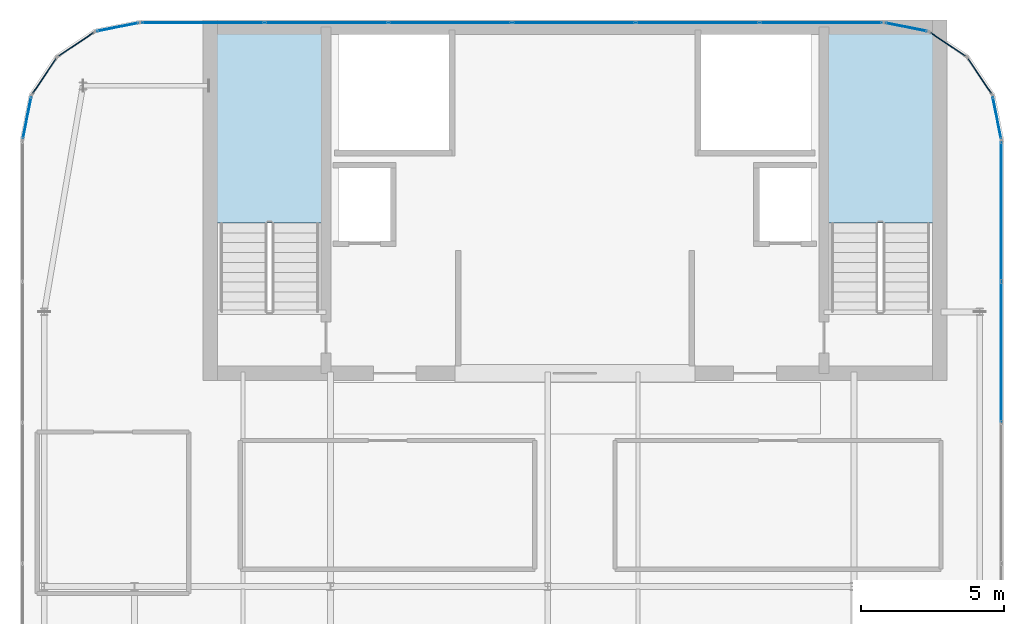
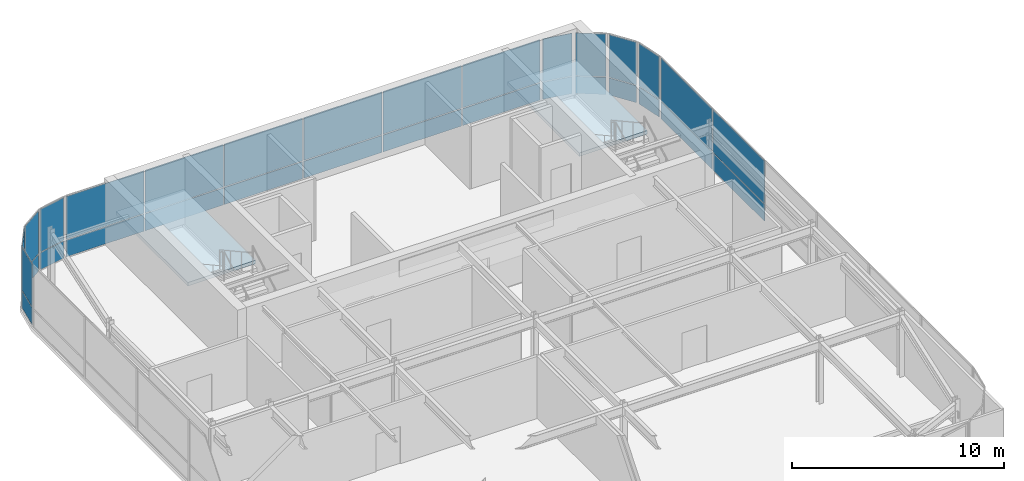
# One storey, part 30 of 36: 32 plates, 2 slabs, 12 elements without a shape of their own.
"""IFC4 building model written with IfcOpenShell, lengths in metres."""

from ifc_helpers import new_model, si_unit, direction, frame, origin, origin_2d, place, context, subcontext, project, spatial, polyline, rectangle, outline, extrude, source, transform, mapped, material, layer, layer_set, type_object, type_shapes, element, aggregate, save


model = new_model("IFC4")

# Units and contexts
model_context = context("Model", 3, precision=1e-05, world=origin(), true_north=direction((0.0, 1.0)))
body_context = subcontext(model_context, "Body", "Model", "MODEL_VIEW")
ifc_project = project(units=[si_unit("LENGTHUNIT", "METRE"), si_unit("AREAUNIT", "SQUARE_METRE"), si_unit("VOLUMEUNIT", "CUBIC_METRE"), si_unit("PLANEANGLEUNIT", "RADIAN"), si_unit("MASSUNIT", "GRAM", prefix="KILO")], contexts=[model_context])

# Site, building, storey
site_placement = place(None, origin())
site = spatial("IfcSite", under=ifc_project, at=site_placement, CompositionType="ELEMENT")
building_placement = place(site_placement, origin())
building = spatial("IfcBuilding", under=site, at=building_placement, Name="Tolvann Quenvar Hotel", CompositionType="ELEMENT")
storey_placement = place(building_placement, frame((0.0, 0.0, 298.550048828125)))
storey = spatial("IfcBuildingStorey", under=building, at=storey_placement, Name="L79", CompositionType="ELEMENT", Elevation=298.550048828125)

# Stair, slab
ifc_material_1 = material(Name="Concrete N40 (40 MPa)", Category="concrete")
stair_type = type_object("IfcStairType", Name="STAIR", PredefinedType="HALF_TURN_STAIR", material=ifc_material_1)
stair_1_placement = place(storey_placement, origin())
stair_1 = element("IfcStair", 1, at=stair_1_placement, inside=storey, type_object=stair_type, Name="L79 ST-C1", PredefinedType="HALF_TURN_STAIR")
ifc_layer_1 = layer(ifc_material_1, 0.199951171875)
ifc_layer_set_1 = layer_set([ifc_layer_1], Name="Concrete N40 (40 MPa)")
slab_type = type_object("IfcSlabType", Name="SLAB_LANDING", PredefinedType="LANDING", material=ifc_layer_set_1)
slab_1_placement = place(storey_placement, frame((0.0, 0.0, 1.699951171875)))
slab_1 = element("IfcSlab", 2, at=slab_1_placement, type_object=slab_type, Name="ST-C1 landing 1", PredefinedType="LANDING", context=body_context, shape_type="SweptSolid", body=[
    extrude(outline(polyline([(14.179931640625, 37.10498046875), (14.179931640625, 43.8798828125), (10.469970703125, 43.8798828125), (10.469970703125, 37.10498046875), (14.179931640625, 37.10498046875)])), origin(), (0.0, 0.0, 1.0), 0.199951171875),
])
aggregate(stair_1, [slab_1])

stair_2_placement = place(storey_placement, origin())
stair_2 = element("IfcStair", 3, at=stair_2_placement, inside=storey, type_object=stair_type, Name="L79 ST-C2", PredefinedType="HALF_TURN_STAIR")
slab_2_placement = place(storey_placement, frame((0.0, 0.0, 1.699951171875)))
slab_2 = element("IfcSlab", 4, at=slab_2_placement, type_object=slab_type, Name="ST-C2 landing 1", PredefinedType="LANDING", context=body_context, shape_type="SweptSolid", body=[
    extrude(outline(polyline([(35.530029296875, 37.10498046875), (35.530029296875, 43.8798828125), (31.820068359375, 43.8798828125), (31.820068359375, 37.10498046875), (35.530029296875, 37.10498046875)])), origin(), (0.0, 0.0, 1.0), 0.199951171875),
])
aggregate(stair_2, [slab_2])

# Curtain wall, plate
ifc_material_2 = material(Name="Thermally broken anodised architectural aluminium 6063-T6 and laminated low-E glass", Category="aluminium")
ifc_layer_2 = layer(ifc_material_2, 0.179931640625)
ifc_layer_set_2 = layer_set([ifc_layer_2], Name="Thermally broken anodised architectural aluminium 6063-T6 and laminated low-E glass")
curtain_wall_type = type_object("IfcCurtainWallType", Name="CW_SYS_LANT_06", PredefinedType="USERDEFINED", material=ifc_layer_set_2)
curtain_wall_1_placement = place(storey_placement, origin())
curtain_wall_1 = element("IfcCurtainWall", 5, at=curtain_wall_1_placement, inside=storey, type_object=curtain_wall_type, Name="Curtain Wall CW-LANT-06 (CWR-L79-E11)", ObjectType="UNITISED CURTAIN WALL", PredefinedType="USERDEFINED")
ifc_material_3 = material(Name="Diffused translucent ceramic-frit laminated lantern glass", Category="glass")
ifc_layer_3 = layer(ifc_material_3, 0.031982421875)
ifc_layer_set_3 = layer_set([ifc_layer_3], Name="Diffused translucent ceramic-frit laminated lantern glass")
plate_type = type_object("IfcPlateType", Name="CW_PAN_LANT_32", PredefinedType="CURTAIN_PANEL", material=ifc_layer_set_3)
shared_shape_1 = source(origin(), body_context, "Body", "SweptSolid", [
    extrude(rectangle(XDim=1.439208984375, YDim=0.031982421875, at=origin_2d()), origin(), (0.0, 0.0, 1.0), 0.97509765625),
])
plate_1_placement = place(storey_placement, frame((37.150146484375, 42.238525390625, 0.0498046875), z_axis=(0.0, 0.0, 1.0), x_axis=(-0.555655769644, 0.831412452193, 0.0)))
plate_1 = element("IfcPlate", 6, at=plate_1_placement, type_object=plate_type, Name="CW-LANT-06 panel 1.1", PredefinedType="CURTAIN_PANEL", context=body_context, shape_type="MappedRepresentation", body=[
    mapped(shared_shape_1, transform((0.0, 0.0, 0.0), x_axis=(1.0, 0.0, 0.0), y_axis=(0.0, 1.0, 0.0), z_axis=(0.0, 0.0, 1.0), scale=1.0)),
])

curtain_wall_2_placement = place(storey_placement, origin())
curtain_wall_2 = element("IfcCurtainWall", 7, at=curtain_wall_2_placement, inside=storey, type_object=curtain_wall_type, Name="Curtain Wall CW-LANT-06 (CWR-L79-E12)", ObjectType="UNITISED CURTAIN WALL", PredefinedType="USERDEFINED")
plate_2_placement = place(storey_placement, frame((36.03857421875, 43.350341796875, 0.0498046875), z_axis=(0.0, 0.0, 1.0), x_axis=(-0.831412452193, 0.555655769644, 0.0)))
plate_2 = element("IfcPlate", 8, at=plate_2_placement, type_object=plate_type, Name="CW-LANT-06 panel 1.1", PredefinedType="CURTAIN_PANEL", context=body_context, shape_type="MappedRepresentation", body=[
    mapped(shared_shape_1, transform((0.0, 0.0, 0.0), x_axis=(1.0, 0.0, 0.0), y_axis=(0.0, 1.0, 0.0), z_axis=(0.0, 0.0, 1.0), scale=1.0)),
])

curtain_wall_3_placement = place(storey_placement, origin())
curtain_wall_3 = element("IfcCurtainWall", 9, at=curtain_wall_3_placement, inside=storey, type_object=curtain_wall_type, Name="Curtain Wall CW-LANT-06 (CWR-L79-E16)", ObjectType="UNITISED CURTAIN WALL", PredefinedType="USERDEFINED")
plate_3_placement = place(storey_placement, frame((5.5615234375, 43.350341796875, 0.0498046875), z_axis=(0.0, 0.0, 1.0), x_axis=(-0.831412452193, -0.555655769644, 0.0)))
plate_3 = element("IfcPlate", 10, at=plate_3_placement, type_object=plate_type, Name="CW-LANT-06 panel 1.1", PredefinedType="CURTAIN_PANEL", context=body_context, shape_type="MappedRepresentation", body=[
    mapped(shared_shape_1, transform((0.0, 0.0, 0.0), x_axis=(1.0, 0.0, 0.0), y_axis=(0.0, 1.0, 0.0), z_axis=(0.0, 0.0, 1.0), scale=1.0)),
])

curtain_wall_4_placement = place(storey_placement, origin())
curtain_wall_4 = element("IfcCurtainWall", 11, at=curtain_wall_4_placement, inside=storey, type_object=curtain_wall_type, Name="Curtain Wall CW-LANT-06 (CWR-L79-E17)", ObjectType="UNITISED CURTAIN WALL", PredefinedType="USERDEFINED")
plate_4_placement = place(storey_placement, frame((4.44970703125, 42.238525390625, 0.0498046875), z_axis=(0.0, 0.0, 1.0), x_axis=(-0.555655769644, -0.831412452193, 0.0)))
plate_4 = element("IfcPlate", 12, at=plate_4_placement, type_object=plate_type, Name="CW-LANT-06 panel 1.1", PredefinedType="CURTAIN_PANEL", context=body_context, shape_type="MappedRepresentation", body=[
    mapped(shared_shape_1, transform((0.0, 0.0, 0.0), x_axis=(1.0, 0.0, 0.0), y_axis=(0.0, 1.0, 0.0), z_axis=(0.0, 0.0, 1.0), scale=1.0)),
])

# Plate
shared_shape_2 = source(origin(), body_context, "Body", "SweptSolid", [
    extrude(rectangle(XDim=1.439208984375, YDim=0.031982421875, at=origin_2d()), origin(), (0.0, 0.0, 1.0), 2.455078125),
])
plate_5_placement = place(storey_placement, frame((37.150146484375, 42.238525390625, 1.074951171875), z_axis=(0.0, 0.0, 1.0), x_axis=(-0.555655769644, 0.831412452193, 0.0)))
plate_5 = element("IfcPlate", 13, at=plate_5_placement, type_object=plate_type, Name="CW-LANT-06 panel 1.2", PredefinedType="CURTAIN_PANEL", context=body_context, shape_type="MappedRepresentation", body=[
    mapped(shared_shape_2, transform((0.0, 0.0, 0.0), x_axis=(1.0, 0.0, 0.0), y_axis=(0.0, 1.0, 0.0), z_axis=(0.0, 0.0, 1.0), scale=1.0)),
])

aggregate(curtain_wall_1, [plate_1, plate_5])

plate_6_placement = place(storey_placement, frame((36.03857421875, 43.350341796875, 1.074951171875), z_axis=(0.0, 0.0, 1.0), x_axis=(-0.831412452193, 0.555655769644, 0.0)))
plate_6 = element("IfcPlate", 14, at=plate_6_placement, type_object=plate_type, Name="CW-LANT-06 panel 1.2", PredefinedType="CURTAIN_PANEL", context=body_context, shape_type="MappedRepresentation", body=[
    mapped(shared_shape_2, transform((0.0, 0.0, 0.0), x_axis=(1.0, 0.0, 0.0), y_axis=(0.0, 1.0, 0.0), z_axis=(0.0, 0.0, 1.0), scale=1.0)),
])

aggregate(curtain_wall_2, [plate_2, plate_6])

plate_7_placement = place(storey_placement, frame((5.5615234375, 43.350341796875, 1.074951171875), z_axis=(0.0, 0.0, 1.0), x_axis=(-0.831412452193, -0.555655769644, 0.0)))
plate_7 = element("IfcPlate", 15, at=plate_7_placement, type_object=plate_type, Name="CW-LANT-06 panel 1.2", PredefinedType="CURTAIN_PANEL", context=body_context, shape_type="MappedRepresentation", body=[
    mapped(shared_shape_2, transform((0.0, 0.0, 0.0), x_axis=(1.0, 0.0, 0.0), y_axis=(0.0, 1.0, 0.0), z_axis=(0.0, 0.0, 1.0), scale=1.0)),
])

aggregate(curtain_wall_3, [plate_3, plate_7])

plate_8_placement = place(storey_placement, frame((4.44970703125, 42.238525390625, 1.074951171875), z_axis=(0.0, 0.0, 1.0), x_axis=(-0.555655769644, -0.831412452193, 0.0)))
plate_8 = element("IfcPlate", 16, at=plate_8_placement, type_object=plate_type, Name="CW-LANT-06 panel 1.2", PredefinedType="CURTAIN_PANEL", context=body_context, shape_type="MappedRepresentation", body=[
    mapped(shared_shape_2, transform((0.0, 0.0, 0.0), x_axis=(1.0, 0.0, 0.0), y_axis=(0.0, 1.0, 0.0), z_axis=(0.0, 0.0, 1.0), scale=1.0)),
])

aggregate(curtain_wall_4, [plate_4, plate_8])

# Curtain wall, plate
curtain_wall_5_placement = place(storey_placement, origin())
curtain_wall_5 = element("IfcCurtainWall", 17, at=curtain_wall_5_placement, inside=storey, type_object=curtain_wall_type, Name="Curtain Wall CW-LANT-06 (CWR-L79-E10)", ObjectType="UNITISED CURTAIN WALL", PredefinedType="USERDEFINED")
shared_shape_3 = source(origin(), body_context, "Body", "SweptSolid", [
    extrude(rectangle(XDim=1.456787109375, YDim=0.031982421875, at=origin_2d()), origin(), (0.0, 0.0, 1.0), 0.97509765625),
])
plate_9_placement = place(storey_placement, frame((37.753662109375, 40.777587890625, 0.0498046875), z_axis=(0.0, 0.0, 1.0), x_axis=(-0.195061569369, 0.980790999222, 0.0)))
plate_9 = element("IfcPlate", 18, at=plate_9_placement, type_object=plate_type, Name="CW-LANT-06 panel 1.1", PredefinedType="CURTAIN_PANEL", context=body_context, shape_type="MappedRepresentation", body=[
    mapped(shared_shape_3, transform((0.0, 0.0, 0.0), x_axis=(1.0, 0.0, 0.0), y_axis=(0.0, 1.0, 0.0), z_axis=(0.0, 0.0, 1.0), scale=1.0)),
])

curtain_wall_6_placement = place(storey_placement, origin())
curtain_wall_6 = element("IfcCurtainWall", 19, at=curtain_wall_6_placement, inside=storey, type_object=curtain_wall_type, Name="Curtain Wall CW-LANT-06 (CWR-L79-E13)", ObjectType="UNITISED CURTAIN WALL", PredefinedType="USERDEFINED")
plate_10_placement = place(storey_placement, frame((34.577392578125, 43.95361328125, 0.0498046875), z_axis=(0.0, 0.0, 1.0), x_axis=(-0.980790999222, 0.195061569369, 0.0)))
plate_10 = element("IfcPlate", 20, at=plate_10_placement, type_object=plate_type, Name="CW-LANT-06 panel 1.1", PredefinedType="CURTAIN_PANEL", context=body_context, shape_type="MappedRepresentation", body=[
    mapped(shared_shape_3, transform((0.0, 0.0, 0.0), x_axis=(1.0, 0.0, 0.0), y_axis=(0.0, 1.0, 0.0), z_axis=(0.0, 0.0, 1.0), scale=1.0)),
])

curtain_wall_7_placement = place(storey_placement, origin())
curtain_wall_7 = element("IfcCurtainWall", 21, at=curtain_wall_7_placement, inside=storey, type_object=curtain_wall_type, Name="Curtain Wall CW-LANT-06 (CWR-L79-E15)", ObjectType="UNITISED CURTAIN WALL", PredefinedType="USERDEFINED")
plate_11_placement = place(storey_placement, frame((7.0224609375, 43.95361328125, 0.0498046875), z_axis=(0.0, 0.0, 1.0), x_axis=(-0.980790999222, -0.195061569369, 0.0)))
plate_11 = element("IfcPlate", 22, at=plate_11_placement, type_object=plate_type, Name="CW-LANT-06 panel 1.1", PredefinedType="CURTAIN_PANEL", context=body_context, shape_type="MappedRepresentation", body=[
    mapped(shared_shape_3, transform((0.0, 0.0, 0.0), x_axis=(1.0, 0.0, 0.0), y_axis=(0.0, 1.0, 0.0), z_axis=(0.0, 0.0, 1.0), scale=1.0)),
])

curtain_wall_8_placement = place(storey_placement, origin())
curtain_wall_8 = element("IfcCurtainWall", 23, at=curtain_wall_8_placement, inside=storey, type_object=curtain_wall_type, Name="Curtain Wall CW-LANT-06 (CWR-L79-E18)", ObjectType="UNITISED CURTAIN WALL", PredefinedType="USERDEFINED")
plate_12_placement = place(storey_placement, frame((3.846435546875, 40.777587890625, 0.0498046875), z_axis=(0.0, 0.0, 1.0), x_axis=(-0.195061569369, -0.980790999222, 0.0)))
plate_12 = element("IfcPlate", 24, at=plate_12_placement, type_object=plate_type, Name="CW-LANT-06 panel 1.1", PredefinedType="CURTAIN_PANEL", context=body_context, shape_type="MappedRepresentation", body=[
    mapped(shared_shape_3, transform((0.0, 0.0, 0.0), x_axis=(1.0, 0.0, 0.0), y_axis=(0.0, 1.0, 0.0), z_axis=(0.0, 0.0, 1.0), scale=1.0)),
])

# Plate
shared_shape_4 = source(origin(), body_context, "Body", "SweptSolid", [
    extrude(rectangle(XDim=1.456787109375, YDim=0.031982421875, at=origin_2d()), origin(), (0.0, 0.0, 1.0), 2.455078125),
])
plate_13_placement = place(storey_placement, frame((37.753662109375, 40.777587890625, 1.074951171875), z_axis=(0.0, 0.0, 1.0), x_axis=(-0.195061569369, 0.980790999222, 0.0)))
plate_13 = element("IfcPlate", 25, at=plate_13_placement, type_object=plate_type, Name="CW-LANT-06 panel 1.2", PredefinedType="CURTAIN_PANEL", context=body_context, shape_type="MappedRepresentation", body=[
    mapped(shared_shape_4, transform((0.0, 0.0, 0.0), x_axis=(1.0, 0.0, 0.0), y_axis=(0.0, 1.0, 0.0), z_axis=(0.0, 0.0, 1.0), scale=1.0)),
])

aggregate(curtain_wall_5, [plate_9, plate_13])

plate_14_placement = place(storey_placement, frame((34.577392578125, 43.95361328125, 1.074951171875), z_axis=(0.0, 0.0, 1.0), x_axis=(-0.980790999222, 0.195061569369, 0.0)))
plate_14 = element("IfcPlate", 26, at=plate_14_placement, type_object=plate_type, Name="CW-LANT-06 panel 1.2", PredefinedType="CURTAIN_PANEL", context=body_context, shape_type="MappedRepresentation", body=[
    mapped(shared_shape_4, transform((0.0, 0.0, 0.0), x_axis=(1.0, 0.0, 0.0), y_axis=(0.0, 1.0, 0.0), z_axis=(0.0, 0.0, 1.0), scale=1.0)),
])

aggregate(curtain_wall_6, [plate_10, plate_14])

plate_15_placement = place(storey_placement, frame((7.0224609375, 43.95361328125, 1.074951171875), z_axis=(0.0, 0.0, 1.0), x_axis=(-0.980790999222, -0.195061569369, 0.0)))
plate_15 = element("IfcPlate", 27, at=plate_15_placement, type_object=plate_type, Name="CW-LANT-06 panel 1.2", PredefinedType="CURTAIN_PANEL", context=body_context, shape_type="MappedRepresentation", body=[
    mapped(shared_shape_4, transform((0.0, 0.0, 0.0), x_axis=(1.0, 0.0, 0.0), y_axis=(0.0, 1.0, 0.0), z_axis=(0.0, 0.0, 1.0), scale=1.0)),
])

aggregate(curtain_wall_7, [plate_11, plate_15])

plate_16_placement = place(storey_placement, frame((3.846435546875, 40.777587890625, 1.074951171875), z_axis=(0.0, 0.0, 1.0), x_axis=(-0.195061569369, -0.980790999222, 0.0)))
plate_16 = element("IfcPlate", 28, at=plate_16_placement, type_object=plate_type, Name="CW-LANT-06 panel 1.2", PredefinedType="CURTAIN_PANEL", context=body_context, shape_type="MappedRepresentation", body=[
    mapped(shared_shape_4, transform((0.0, 0.0, 0.0), x_axis=(1.0, 0.0, 0.0), y_axis=(0.0, 1.0, 0.0), z_axis=(0.0, 0.0, 1.0), scale=1.0)),
])

aggregate(curtain_wall_8, [plate_12, plate_16])

# Curtain wall, plates
curtain_wall_9_placement = place(storey_placement, origin())
curtain_wall_9 = element("IfcCurtainWall", 29, at=curtain_wall_9_placement, inside=storey, type_object=curtain_wall_type, Name="Curtain Wall CW-LANT-06 (CWR-L79-E14)", ObjectType="UNITISED CURTAIN WALL", PredefinedType="USERDEFINED")
shared_shape_5 = source(origin(), body_context, "Body", "SweptSolid", [
    extrude(rectangle(XDim=4.22998046875, YDim=0.031982421875, at=origin_2d()), origin(), (0.0, 0.0, 1.0), 0.97509765625),
])
plate_17_placement = place(storey_placement, frame((31.602783203125, 44.110107421875, 0.0498046875), z_axis=(0.0, 0.0, 1.0), x_axis=(-1.0, 0.0, 0.0)))
plate_17 = element("IfcPlate", 30, at=plate_17_placement, type_object=plate_type, Name="CW-LANT-06 panel 1.1", PredefinedType="CURTAIN_PANEL", context=body_context, shape_type="MappedRepresentation", body=[
    mapped(shared_shape_5, transform((0.0, 0.0, 0.0), x_axis=(1.0, 0.0, 0.0), y_axis=(0.0, 1.0, 0.0), z_axis=(0.0, 0.0, 1.0), scale=1.0)),
])
plate_18_placement = place(storey_placement, frame((9.997314453125, 44.110107421875, 0.0498046875), z_axis=(0.0, 0.0, 1.0), x_axis=(-1.0, 0.0, 0.0)))
plate_18 = element("IfcPlate", 31, at=plate_18_placement, type_object=plate_type, Name="CW-LANT-06 panel 6.1", PredefinedType="CURTAIN_PANEL", context=body_context, shape_type="MappedRepresentation", body=[
    mapped(shared_shape_5, transform((0.0, 0.0, 0.0), x_axis=(1.0, 0.0, 0.0), y_axis=(0.0, 1.0, 0.0), z_axis=(0.0, 0.0, 1.0), scale=1.0)),
])
shared_shape_6 = source(origin(), body_context, "Body", "SweptSolid", [
    extrude(rectangle(XDim=4.22998046875, YDim=0.031982421875, at=origin_2d()), origin(), (0.0, 0.0, 1.0), 2.455078125),
])
plate_19_placement = place(storey_placement, frame((31.602783203125, 44.110107421875, 1.074951171875), z_axis=(0.0, 0.0, 1.0), x_axis=(-1.0, 0.0, 0.0)))
plate_19 = element("IfcPlate", 32, at=plate_19_placement, type_object=plate_type, Name="CW-LANT-06 panel 1.2", PredefinedType="CURTAIN_PANEL", context=body_context, shape_type="MappedRepresentation", body=[
    mapped(shared_shape_6, transform((0.0, 0.0, 0.0), x_axis=(1.0, 0.0, 0.0), y_axis=(0.0, 1.0, 0.0), z_axis=(0.0, 0.0, 1.0), scale=1.0)),
])
plate_20_placement = place(storey_placement, frame((9.997314453125, 44.110107421875, 1.074951171875), z_axis=(0.0, 0.0, 1.0), x_axis=(-1.0, 0.0, 0.0)))
plate_20 = element("IfcPlate", 33, at=plate_20_placement, type_object=plate_type, Name="CW-LANT-06 panel 6.2", PredefinedType="CURTAIN_PANEL", context=body_context, shape_type="MappedRepresentation", body=[
    mapped(shared_shape_6, transform((0.0, 0.0, 0.0), x_axis=(1.0, 0.0, 0.0), y_axis=(0.0, 1.0, 0.0), z_axis=(0.0, 0.0, 1.0), scale=1.0)),
])
shared_shape_7 = source(origin(), body_context, "Body", "SweptSolid", [
    extrude(rectangle(XDim=4.2626953125, YDim=0.031982421875, at=origin_2d()), origin(), (0.0, 0.0, 1.0), 0.97509765625),
])
plate_21_placement = place(storey_placement, frame((27.29150390625, 44.110107421875, 0.0498046875), z_axis=(0.0, 0.0, 1.0), x_axis=(-1.0, 0.0, 0.0)))
plate_21 = element("IfcPlate", 34, at=plate_21_placement, type_object=plate_type, Name="CW-LANT-06 panel 2.1", PredefinedType="CURTAIN_PANEL", context=body_context, shape_type="MappedRepresentation", body=[
    mapped(shared_shape_7, transform((0.0, 0.0, 0.0), x_axis=(1.0, 0.0, 0.0), y_axis=(0.0, 1.0, 0.0), z_axis=(0.0, 0.0, 1.0), scale=1.0)),
])
plate_22_placement = place(storey_placement, frame((22.9638671875, 44.110107421875, 0.0498046875), z_axis=(0.0, 0.0, 1.0), x_axis=(-1.0, 0.0, 0.0)))
plate_22 = element("IfcPlate", 35, at=plate_22_placement, type_object=plate_type, Name="CW-LANT-06 panel 3.1", PredefinedType="CURTAIN_PANEL", context=body_context, shape_type="MappedRepresentation", body=[
    mapped(shared_shape_7, transform((0.0, 0.0, 0.0), x_axis=(1.0, 0.0, 0.0), y_axis=(0.0, 1.0, 0.0), z_axis=(0.0, 0.0, 1.0), scale=1.0)),
])
plate_23_placement = place(storey_placement, frame((18.63623046875, 44.110107421875, 0.0498046875), z_axis=(0.0, 0.0, 1.0), x_axis=(-1.0, 0.0, 0.0)))
plate_23 = element("IfcPlate", 36, at=plate_23_placement, type_object=plate_type, Name="CW-LANT-06 panel 4.1", PredefinedType="CURTAIN_PANEL", context=body_context, shape_type="MappedRepresentation", body=[
    mapped(shared_shape_7, transform((0.0, 0.0, 0.0), x_axis=(1.0, 0.0, 0.0), y_axis=(0.0, 1.0, 0.0), z_axis=(0.0, 0.0, 1.0), scale=1.0)),
])
plate_24_placement = place(storey_placement, frame((14.30859375, 44.110107421875, 0.0498046875), z_axis=(0.0, 0.0, 1.0), x_axis=(-1.0, 0.0, 0.0)))
plate_24 = element("IfcPlate", 37, at=plate_24_placement, type_object=plate_type, Name="CW-LANT-06 panel 5.1", PredefinedType="CURTAIN_PANEL", context=body_context, shape_type="MappedRepresentation", body=[
    mapped(shared_shape_7, transform((0.0, 0.0, 0.0), x_axis=(1.0, 0.0, 0.0), y_axis=(0.0, 1.0, 0.0), z_axis=(0.0, 0.0, 1.0), scale=1.0)),
])
shared_shape_8 = source(origin(), body_context, "Body", "SweptSolid", [
    extrude(rectangle(XDim=4.2626953125, YDim=0.031982421875, at=origin_2d()), origin(), (0.0, 0.0, 1.0), 2.455078125),
])
plate_25_placement = place(storey_placement, frame((27.29150390625, 44.110107421875, 1.074951171875), z_axis=(0.0, 0.0, 1.0), x_axis=(-1.0, 0.0, 0.0)))
plate_25 = element("IfcPlate", 38, at=plate_25_placement, type_object=plate_type, Name="CW-LANT-06 panel 2.2", PredefinedType="CURTAIN_PANEL", context=body_context, shape_type="MappedRepresentation", body=[
    mapped(shared_shape_8, transform((0.0, 0.0, 0.0), x_axis=(1.0, 0.0, 0.0), y_axis=(0.0, 1.0, 0.0), z_axis=(0.0, 0.0, 1.0), scale=1.0)),
])
plate_26_placement = place(storey_placement, frame((22.9638671875, 44.110107421875, 1.074951171875), z_axis=(0.0, 0.0, 1.0), x_axis=(-1.0, 0.0, 0.0)))
plate_26 = element("IfcPlate", 39, at=plate_26_placement, type_object=plate_type, Name="CW-LANT-06 panel 3.2", PredefinedType="CURTAIN_PANEL", context=body_context, shape_type="MappedRepresentation", body=[
    mapped(shared_shape_8, transform((0.0, 0.0, 0.0), x_axis=(1.0, 0.0, 0.0), y_axis=(0.0, 1.0, 0.0), z_axis=(0.0, 0.0, 1.0), scale=1.0)),
])
plate_27_placement = place(storey_placement, frame((18.63623046875, 44.110107421875, 1.074951171875), z_axis=(0.0, 0.0, 1.0), x_axis=(-1.0, 0.0, 0.0)))
plate_27 = element("IfcPlate", 40, at=plate_27_placement, type_object=plate_type, Name="CW-LANT-06 panel 4.2", PredefinedType="CURTAIN_PANEL", context=body_context, shape_type="MappedRepresentation", body=[
    mapped(shared_shape_8, transform((0.0, 0.0, 0.0), x_axis=(1.0, 0.0, 0.0), y_axis=(0.0, 1.0, 0.0), z_axis=(0.0, 0.0, 1.0), scale=1.0)),
])
plate_28_placement = place(storey_placement, frame((14.30859375, 44.110107421875, 1.074951171875), z_axis=(0.0, 0.0, 1.0), x_axis=(-1.0, 0.0, 0.0)))
plate_28 = element("IfcPlate", 41, at=plate_28_placement, type_object=plate_type, Name="CW-LANT-06 panel 5.2", PredefinedType="CURTAIN_PANEL", context=body_context, shape_type="MappedRepresentation", body=[
    mapped(shared_shape_8, transform((0.0, 0.0, 0.0), x_axis=(1.0, 0.0, 0.0), y_axis=(0.0, 1.0, 0.0), z_axis=(0.0, 0.0, 1.0), scale=1.0)),
])
aggregate(curtain_wall_9, [plate_17, plate_19, plate_21, plate_25, plate_22, plate_26, plate_23, plate_27, plate_24, plate_28, plate_18, plate_20])

curtain_wall_10_placement = place(storey_placement, origin())
curtain_wall_10 = element("IfcCurtainWall", 42, at=curtain_wall_10_placement, inside=storey, type_object=curtain_wall_type, Name="Curtain Wall CW-LANT-06 (CWR-L79-E09)", ObjectType="UNITISED CURTAIN WALL", PredefinedType="USERDEFINED")
shared_shape_9 = source(origin(), body_context, "Body", "SweptSolid", [
    extrude(rectangle(XDim=4.830078125, YDim=0.031982421875, at=origin_2d()), origin(), (0.0, 0.0, 1.0), 0.97509765625),
])
plate_29_placement = place(storey_placement, frame((37.909912109375, 37.502685546875, 0.0498046875), z_axis=(0.0, 0.0, 1.0), x_axis=(0.0, 1.0, 0.0)))
plate_29 = element("IfcPlate", 43, at=plate_29_placement, type_object=plate_type, Name="CW-LANT-06 panel 6.1", PredefinedType="CURTAIN_PANEL", context=body_context, shape_type="MappedRepresentation", body=[
    mapped(shared_shape_9, transform((0.0, 0.0, 0.0), x_axis=(1.0, 0.0, 0.0), y_axis=(0.0, 1.0, 0.0), z_axis=(0.0, 0.0, 1.0), scale=1.0)),
])
shared_shape_10 = source(origin(), body_context, "Body", "SweptSolid", [
    extrude(rectangle(XDim=4.830078125, YDim=0.031982421875, at=origin_2d()), origin(), (0.0, 0.0, 1.0), 2.455078125),
])
plate_30_placement = place(storey_placement, frame((37.909912109375, 37.502685546875, 1.074951171875), z_axis=(0.0, 0.0, 1.0), x_axis=(0.0, 1.0, 0.0)))
plate_30 = element("IfcPlate", 44, at=plate_30_placement, type_object=plate_type, Name="CW-LANT-06 panel 6.2", PredefinedType="CURTAIN_PANEL", context=body_context, shape_type="MappedRepresentation", body=[
    mapped(shared_shape_10, transform((0.0, 0.0, 0.0), x_axis=(1.0, 0.0, 0.0), y_axis=(0.0, 1.0, 0.0), z_axis=(0.0, 0.0, 1.0), scale=1.0)),
])
shared_shape_11 = source(origin(), body_context, "Body", "SweptSolid", [
    extrude(rectangle(XDim=4.862548828125, YDim=0.031982421875, at=origin_2d()), origin(), (0.0, 0.0, 1.0), 0.97509765625),
])
plate_31_placement = place(storey_placement, frame((37.909912109375, 32.59130859375, 0.0498046875), z_axis=(0.0, 0.0, 1.0), x_axis=(0.0, 1.0, 0.0)))
plate_31 = element("IfcPlate", 45, at=plate_31_placement, type_object=plate_type, Name="CW-LANT-06 panel 5.1", PredefinedType="CURTAIN_PANEL", context=body_context, shape_type="MappedRepresentation", body=[
    mapped(shared_shape_11, transform((0.0, 0.0, 0.0), x_axis=(1.0, 0.0, 0.0), y_axis=(0.0, 1.0, 0.0), z_axis=(0.0, 0.0, 1.0), scale=1.0)),
])
shared_shape_12 = source(origin(), body_context, "Body", "SweptSolid", [
    extrude(rectangle(XDim=4.862548828125, YDim=0.031982421875, at=origin_2d()), origin(), (0.0, 0.0, 1.0), 2.455078125),
])
type_shapes(plate_type, [shared_shape_1, shared_shape_2, shared_shape_3, shared_shape_4, shared_shape_5, shared_shape_6, shared_shape_7, shared_shape_8, shared_shape_9, shared_shape_10, shared_shape_11, shared_shape_12])
plate_32_placement = place(storey_placement, frame((37.909912109375, 32.59130859375, 1.074951171875), z_axis=(0.0, 0.0, 1.0), x_axis=(0.0, 1.0, 0.0)))
plate_32 = element("IfcPlate", 46, at=plate_32_placement, type_object=plate_type, Name="CW-LANT-06 panel 5.2", PredefinedType="CURTAIN_PANEL", context=body_context, shape_type="MappedRepresentation", body=[
    mapped(shared_shape_12, transform((0.0, 0.0, 0.0), x_axis=(1.0, 0.0, 0.0), y_axis=(0.0, 1.0, 0.0), z_axis=(0.0, 0.0, 1.0), scale=1.0)),
])
aggregate(curtain_wall_10, [plate_31, plate_32, plate_29, plate_30])

save(model, "model.ifc")
